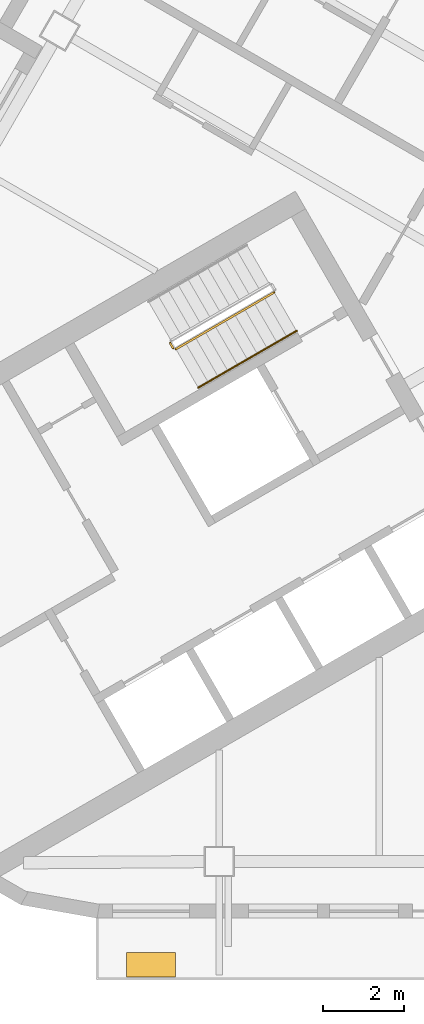
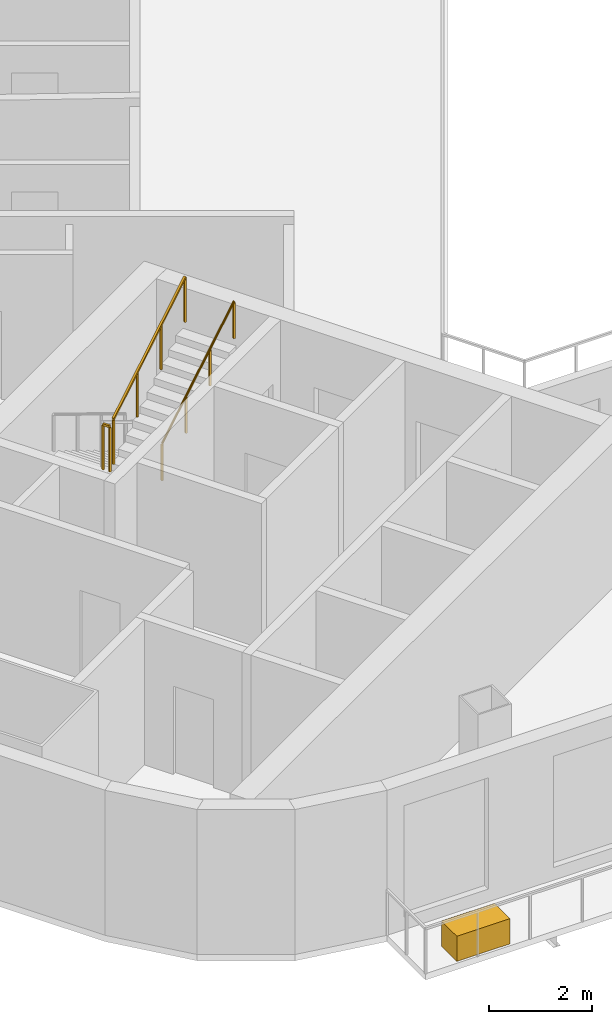
# One storey, part 9 of 14: 3 railings, 1 covering.
"""IFC4 building model written with IfcOpenShell, lengths in metres."""

from ifc_helpers import new_model, si_unit, direction, frame, origin, origin_2d, place, context, subcontext, project, spatial, rectangle, circle, extrude, material, type_object, element, save


model = new_model("IFC4")

# Units and contexts
model_context = context("Model", 3, precision=1e-05, world=origin(), true_north=direction((0.0, 1.0)))
body_context = subcontext(model_context, "Body", "Model", "MODEL_VIEW")
ifc_project = project(units=[si_unit("LENGTHUNIT", "METRE"), si_unit("AREAUNIT", "SQUARE_METRE"), si_unit("VOLUMEUNIT", "CUBIC_METRE"), si_unit("PLANEANGLEUNIT", "RADIAN"), si_unit("MASSUNIT", "GRAM", prefix="KILO")], contexts=[model_context])

# Site, building, storey
site_placement = place(None, origin())
site = spatial("IfcSite", under=ifc_project, at=site_placement, CompositionType="ELEMENT")
building_placement = place(site_placement, origin())
building = spatial("IfcBuilding", under=site, at=building_placement, Name="Apuvela Tower Hotel", CompositionType="ELEMENT")
storey_placement = place(building_placement, frame((0.0, 0.0, 228.0)))
storey = spatial("IfcBuildingStorey", under=building, at=storey_placement, Name="L56", CompositionType="ELEMENT", Elevation=228.0)

# Railings
ifc_material_1 = material(Name="Steel S275 balustrade", Category="steel")
railing_type_1 = type_object("IfcRailingType", Name="COR-GUARD-1100", PredefinedType="GUARDRAIL", material=ifc_material_1)
railing_1_placement = place(storey_placement, frame((-17.01220703125, -5.43408203125, 1.85009765625)))
element("IfcRailing", 1, at=railing_1_placement, inside=storey, type_object=railing_type_1, Name="L56 ST2 stair guard 2", PredefinedType="GUARDRAIL", context=body_context, shape_type="SweptSolid", body=[
    extrude(rectangle(XDim=0.048095703125, YDim=0.048095703125, at=origin_2d()), frame((0.0, 0.0, 1.076171875), z_axis=(0.499816412211, -0.866131372301, 0.0), x_axis=(0.866131372301, 0.499816412211, 0.0)), (0.0, 0.0, 1.0), 0.14990234375),
    extrude(rectangle(XDim=0.0419921875, YDim=0.0419921875, at=origin_2d()), origin(), (0.0, 0.0, 1.0), 1.052001953125),
    extrude(rectangle(XDim=0.0419921875, YDim=0.0419921875, at=origin_2d()), frame((0.074951171875, -0.1298828125, 0.0)), (0.0, 0.0, 1.0), 1.052001953125),
])
railing_2_placement = place(storey_placement, frame((-16.868896484375, -5.582275390625, 2.01806640625)))
element("IfcRailing", 2, at=railing_2_placement, inside=storey, type_object=railing_type_1, Name="L56 ST2 stair guard 3", PredefinedType="GUARDRAIL", context=body_context, shape_type="SweptSolid", body=[
    extrude(rectangle(XDim=0.048095703125, YDim=0.048095703125, at=origin_2d()), frame((0.0, 0.0, 1.076171875), z_axis=(0.742390482028, 0.42860119049, 0.514934356695), x_axis=(-0.49998411664, 0.866034573852, 0.0)), (0.0, 0.0, 1.0), 3.26611328125),
    extrude(rectangle(XDim=0.0419921875, YDim=0.0419921875, at=origin_2d()), origin(), (0.0, 0.0, 1.0), 1.052001953125),
    extrude(rectangle(XDim=0.0419921875, YDim=0.0419921875, at=origin_2d()), frame((0.808349609375, 0.466552734375, 0.560546875)), (0.0, 0.0, 1.0), 1.052001953125),
    extrude(rectangle(XDim=0.0419921875, YDim=0.0419921875, at=origin_2d()), frame((1.616455078125, 0.933349609375, 1.121337890625)), (0.0, 0.0, 1.0), 1.052001953125),
    extrude(rectangle(XDim=0.0419921875, YDim=0.0419921875, at=origin_2d()), frame((2.4248046875, 1.39990234375, 1.681884765625)), (0.0, 0.0, 1.0), 1.052001953125),
])
ifc_material_2 = material(Name="Stainless steel 316 handrail", Category="steel")
railing_type_2 = type_object("IfcRailingType", Name="COR-HANDRAIL-900", PredefinedType="HANDRAIL", material=ifc_material_2)
railing_3_placement = place(storey_placement, frame((-16.31884765625, -6.534912109375, 2.01806640625)))
element("IfcRailing", 3, at=railing_3_placement, inside=storey, type_object=railing_type_2, Name="L56 ST2 stair handrail 2", PredefinedType="HANDRAIL", context=body_context, shape_type="SweptSolid", body=[
    extrude(circle(Radius=0.02392578125, at=origin_2d()), frame((0.0, 0.0, 0.8759765625), z_axis=(0.742390482028, 0.42860119049, 0.514934356695), x_axis=(-0.49998411664, 0.866034573852, 0.0)), (0.0, 0.0, 1.0), 3.26611328125),
    extrude(rectangle(XDim=0.0419921875, YDim=0.0419921875, at=origin_2d()), origin(), (0.0, 0.0, 1.0), 0.851806640625),
    extrude(rectangle(XDim=0.0419921875, YDim=0.0419921875, at=origin_2d()), frame((0.808349609375, 0.466552734375, 0.560546875)), (0.0, 0.0, 1.0), 0.851806640625),
    extrude(rectangle(XDim=0.0419921875, YDim=0.0419921875, at=origin_2d()), frame((1.616455078125, 0.933349609375, 1.121337890625)), (0.0, 0.0, 1.0), 0.851806640625),
    extrude(rectangle(XDim=0.0419921875, YDim=0.0419921875, at=origin_2d()), frame((2.4248046875, 1.39990234375, 1.681884765625)), (0.0, 0.0, 1.0), 0.851806640625),
])

# Covering
ifc_material_3 = material(Name="Planting substrate and soil, planted")
covering_type = type_object("IfcCoveringType", Name="ENV-PLANTER-1200x600", PredefinedType="USERDEFINED", material=ifc_material_3)
covering_placement = place(storey_placement, frame((-17.485107421875, -20.780029296875, 0.0), z_axis=(0.0, 0.0, 1.0), x_axis=(1.0, 0.0, 0.0)))
element("IfcCovering", 4, at=covering_placement, inside=storey, type_object=covering_type, Name="Planter S1", ObjectType="PLANTER", PredefinedType="USERDEFINED", context=body_context, shape_type="SweptSolid", body=[
    extrude(rectangle(XDim=1.199951171875, YDim=0.60009765625, at=origin_2d()), origin(), (0.0, 0.0, 1.0), 0.60009765625),
])

save(model, "model.ifc")
